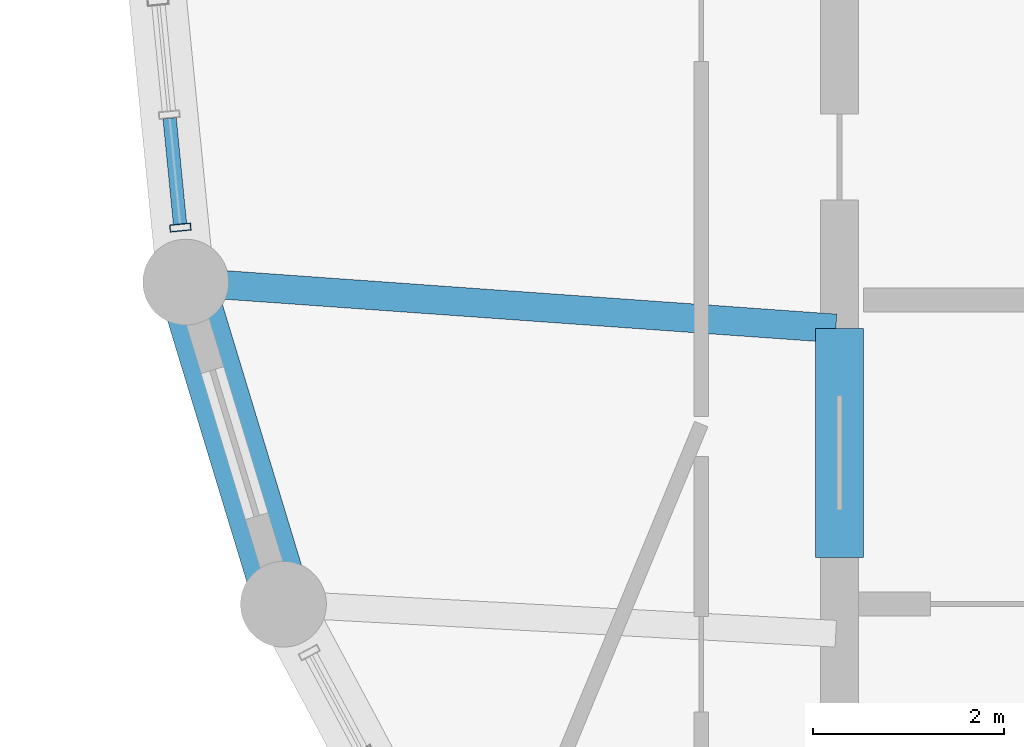
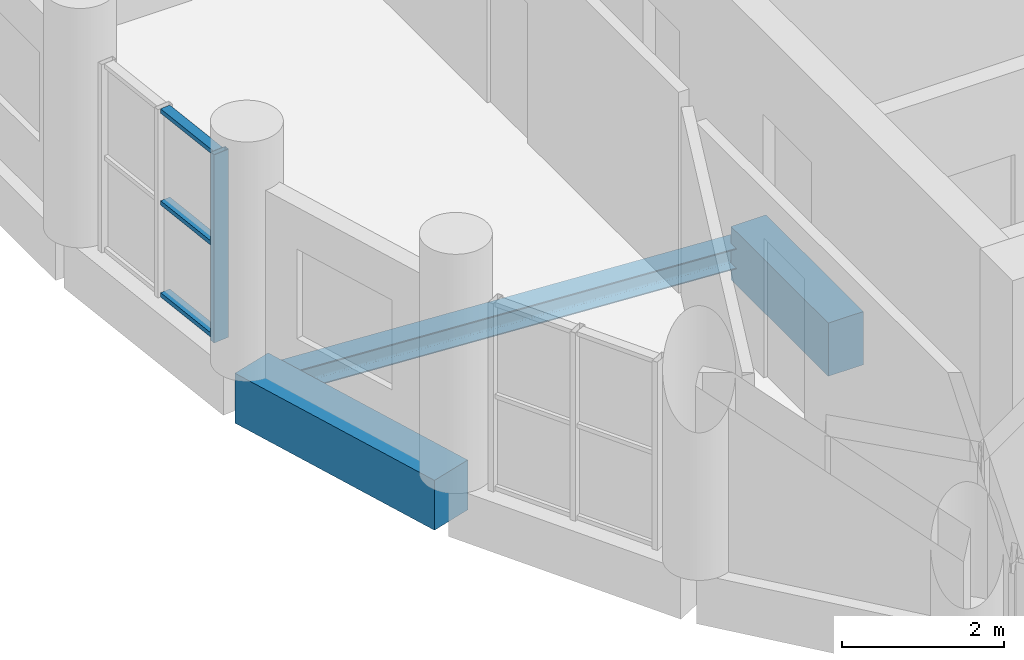
# One storey, part 3 of 11: 4 members, 3 beams, 1 element without a shape of its own.
"""IFC4 building model written with IfcOpenShell, lengths in metres."""

from ifc_helpers import new_model, si_unit, direction, frame, origin, origin_2d, place, context, subcontext, project, spatial, rectangle, hollow_rectangle, i_section, extrude, material, layer, layer_set, material_profile, profile_set, type_object, element, aggregate, save


model = new_model("IFC4")

# Units and contexts
model_context = context("Model", 3, precision=1e-05, world=origin(), true_north=direction((0.0, 1.0)))
body_context = subcontext(model_context, "Body", "Model", "MODEL_VIEW")
ifc_project = project(units=[si_unit("LENGTHUNIT", "METRE"), si_unit("AREAUNIT", "SQUARE_METRE"), si_unit("VOLUMEUNIT", "CUBIC_METRE"), si_unit("PLANEANGLEUNIT", "RADIAN"), si_unit("MASSUNIT", "GRAM", prefix="KILO")], contexts=[model_context])

# Site, building, storey
site_placement = place(None, origin())
site = spatial("IfcSite", under=ifc_project, at=site_placement, CompositionType="ELEMENT")
building_placement = place(site_placement, origin())
building = spatial("IfcBuilding", under=site, at=building_placement, Name="Solnavia Interchange Tower", CompositionType="ELEMENT")
storey_placement = place(building_placement, frame((0.0, 0.0, 263.0)))
storey = spatial("IfcBuildingStorey", under=building, at=storey_placement, Name="L66", CompositionType="ELEMENT", Elevation=263.0)

# Beams
ifc_material_1 = material(Name="Concrete C50/60", Category="concrete")
ifc_material_profile_1 = material_profile(ifc_material_1, rectangle(XDim=0.5, YDim=0.800048828125, at=origin_2d()), Name="RC 500x800")
ifc_profile_set_1 = profile_set([ifc_material_profile_1], Name="Concrete C50/60")
beam_type_1 = type_object("IfcBeamType", Name="Beam-Coupling-RC500x800", PredefinedType="LINTEL", material=ifc_profile_set_1)
beam_1_placement = place(storey_placement, frame((14.39990234375, 15.199951171875, -0.39990234375), z_axis=(0.0, 1.0, 0.0), x_axis=(-1.0, 0.0, 0.0)))
element("IfcBeam", 1, at=beam_1_placement, inside=storey, type_object=beam_type_1, Name="CPB-L66-W1 Core coupling lintel beam", PredefinedType="LINTEL", context=body_context, shape_type="SweptSolid", body=[
    extrude(rectangle(XDim=0.5, YDim=0.800048828125, at=origin_2d()), origin(), (0.0, 0.0, 1.0), 2.400146484375),
])
ifc_material_2 = material(Name="Steel S355", Category="steel")
ifc_material_profile_2 = material_profile(ifc_material_2, i_section(OverallWidth=0.300048828125, OverallDepth=0.31005859375, WebThickness=0.009033203125, FlangeThickness=0.015380859375, FilletRadius=0.027099609375, at=origin_2d()), Name="HEA 320")
ifc_profile_set_2 = profile_set([ifc_material_profile_2], Name="Steel S355")
beam_type_2 = type_object("IfcBeamType", Name="Beam-Primary-HEA320", PredefinedType="BEAM", material=ifc_profile_set_2)
beam_2_placement = place(storey_placement, frame((7.625732421875, 18.082275390625, -0.405029296875), z_axis=(0.99747482749, -0.071020902015, 0.0), x_axis=(0.071020902015, 0.99747482749, 0.0)))
element("IfcBeam", 2, at=beam_2_placement, inside=storey, type_object=beam_type_2, Name="GRD-L66-DR05 Drum radial floor girder", PredefinedType="BEAM", context=body_context, shape_type="SweptSolid", body=[
    extrude(i_section(OverallWidth=0.300048828125, OverallDepth=0.31005859375, WebThickness=0.009033203125, FlangeThickness=0.015380859375, FilletRadius=0.027099609375, at=origin_2d()), origin(), (0.0, 0.0, 1.0), 6.75146484375),
])
ifc_material_profile_3 = material_profile(ifc_material_1, rectangle(XDim=0.60009765625, YDim=0.75, at=origin_2d()), Name="RC 600x750")
ifc_profile_set_3 = profile_set([ifc_material_profile_3], Name="Concrete C50/60")
beam_type_3 = type_object("IfcBeamType", Name="Beam-Spandrel-RC600x750", PredefinedType="SPANDREL", material=ifc_profile_set_3)
beam_3_placement = place(storey_placement, frame((7.569091796875, 18.011474609375, -0.375), z_axis=(0.290319223646, -0.956929855518, 0.0), x_axis=(0.956929855518, 0.290319223646, 0.0)))
element("IfcBeam", 3, at=beam_3_placement, inside=storey, type_object=beam_type_3, Name="SPB-L66-02 Framed-tube perimeter spandrel beam", PredefinedType="SPANDREL", context=body_context, shape_type="SweptSolid", body=[
    extrude(rectangle(XDim=0.60009765625, YDim=0.75, at=origin_2d()), origin(), (0.0, 0.0, 1.0), 3.367919921875),
])

# Curtain wall, members
ifc_material_3 = material(Name="Aluminium Alloy 6063-T6", Category="aluminium")
ifc_layer = layer(ifc_material_3, 0.239990234375)
ifc_layer_set = layer_set([ifc_layer], Name="Aluminium Alloy 6063-T6")
curtain_wall_type = type_object("IfcCurtainWallType", Name="CurtainWall-Drum-CTW2", PredefinedType="NOTDEFINED", material=ifc_layer_set)
curtain_wall_placement = place(storey_placement, origin())
curtain_wall = element("IfcCurtainWall", 4, at=curtain_wall_placement, inside=storey, type_object=curtain_wall_type, Name="CTW-L66-D37 CTW-2 curtain wall", PredefinedType="NOTDEFINED")
ifc_material_profile_4 = material_profile(ifc_material_3, hollow_rectangle(XDim=0.074951171875, YDim=0.219970703125, WallThickness=0.0048828125, at=origin_2d()), Name="ALU 220x75x5")
ifc_profile_set_4 = profile_set([ifc_material_profile_4], Name="Aluminium Alloy 6063-T6")
member_type_1 = type_object("IfcMemberType", Name="CW-Mullion-CWM-2", PredefinedType="MULLION", material=ifc_profile_set_4)
member_1_placement = place(storey_placement, frame((7.489501953125, 18.66015625, 0.0), z_axis=(0.0, 0.0, 1.0), x_axis=(0.098043088306, -0.995182170678, 0.0)))
member_1 = element("IfcMember", 5, at=member_1_placement, type_object=member_type_1, Name="CTW-2 mullion 3", PredefinedType="MULLION", context=body_context, shape_type="SweptSolid", body=[
    extrude(hollow_rectangle(XDim=0.074951171875, YDim=0.219970703125, WallThickness=0.0048828125, at=origin_2d()), origin(), (0.0, 0.0, 1.0), 2.830078125),
])
ifc_material_profile_5 = material_profile(ifc_material_3, hollow_rectangle(XDim=0.06494140625, YDim=0.139892578125, WallThickness=0.00390625, at=origin_2d()), Name="ALU 140x65x4")
ifc_profile_set_5 = profile_set([ifc_material_profile_5], Name="Aluminium Alloy 6063-T6")
member_type_2 = type_object("IfcMemberType", Name="CW-Transom-CWT-2", PredefinedType="USERDEFINED", material=ifc_profile_set_5)
member_2_placement = place(storey_placement, frame((7.376708984375, 19.806640625, 0.032470703125), z_axis=(0.097920280653, -0.995194261758, 0.0), x_axis=(0.0, 0.0, 1.0)))
member_2 = element("IfcMember", 6, at=member_2_placement, type_object=member_type_2, Name="CTW-2 transom 2.1", ObjectType="TRANSOM", PredefinedType="USERDEFINED", context=body_context, shape_type="SweptSolid", body=[
    extrude(hollow_rectangle(XDim=0.06494140625, YDim=0.139892578125, WallThickness=0.00390625, at=origin_2d()), origin(), (0.0, 0.0, 1.0), 1.114501953125),
])
member_3_placement = place(storey_placement, frame((7.376708984375, 19.806640625, 1.4150390625), z_axis=(0.097920280653, -0.995194261758, 0.0), x_axis=(0.0, 0.0, 1.0)))
member_3 = element("IfcMember", 7, at=member_3_placement, type_object=member_type_2, Name="CTW-2 transom 2.2", ObjectType="TRANSOM", PredefinedType="USERDEFINED", context=body_context, shape_type="SweptSolid", body=[
    extrude(hollow_rectangle(XDim=0.06494140625, YDim=0.139892578125, WallThickness=0.00390625, at=origin_2d()), origin(), (0.0, 0.0, 1.0), 1.114501953125),
])
member_4_placement = place(storey_placement, frame((7.376708984375, 19.806640625, 2.797607421875), z_axis=(0.097920280653, -0.995194261758, 0.0), x_axis=(0.0, 0.0, 1.0)))
member_4 = element("IfcMember", 8, at=member_4_placement, type_object=member_type_2, Name="CTW-2 transom 2.3", ObjectType="TRANSOM", PredefinedType="USERDEFINED", context=body_context, shape_type="SweptSolid", body=[
    extrude(hollow_rectangle(XDim=0.06494140625, YDim=0.139892578125, WallThickness=0.00390625, at=origin_2d()), origin(), (0.0, 0.0, 1.0), 1.114501953125),
])
aggregate(curtain_wall, [member_1, member_2, member_3, member_4])

save(model, "model.ifc")
